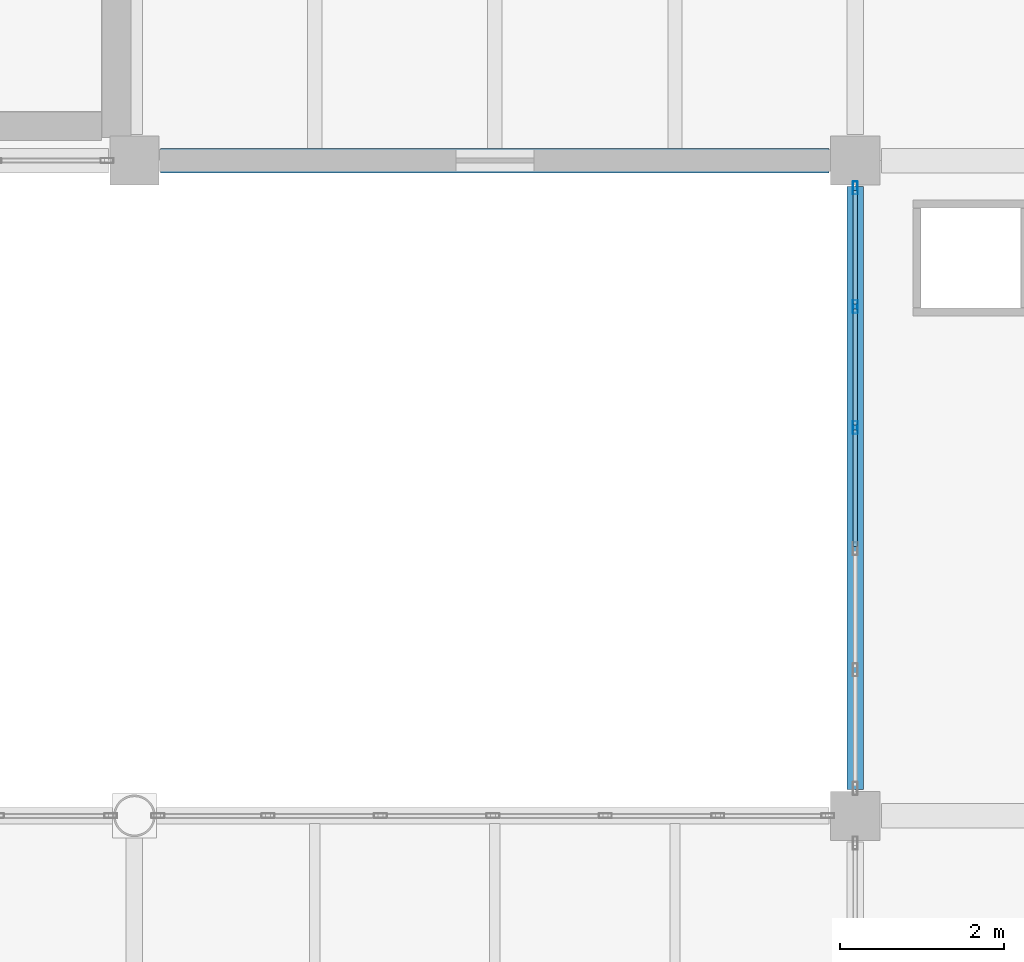
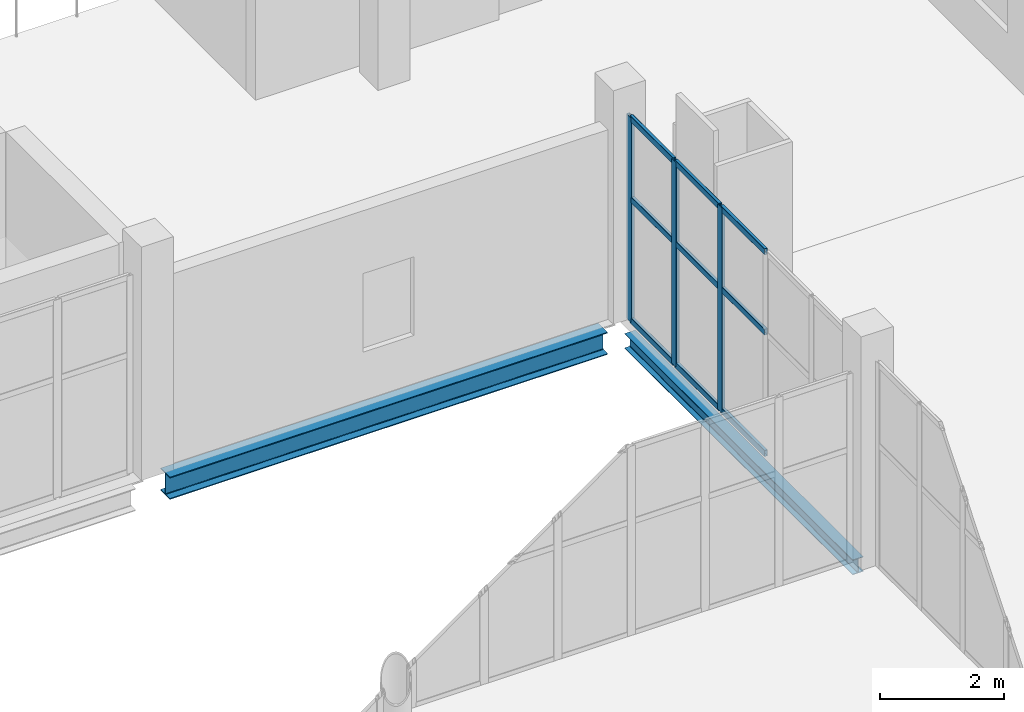
# One storey, part 92 of 136: 12 members, 2 beams, 1 element without a shape of its own.
"""IFC4 building model written with IfcOpenShell, lengths in metres."""

import ifcopenshell
import ifcopenshell.guid

model = None  # the IFC model being written
_history = None  # IfcOwnerHistory: only IFC2X3 demands one
_inside = {}  # id of a spatial element -> (the spatial element, [elements in it])
_under = {}  # id of a project, library or spatial element -> (it, [spatial elements below it])
_declared = {}  # id of a project -> (the project, [libraries it declares])
_typed = {}  # id of a type object -> (the type object, [elements of that type])
_made_of = {}  # id of a material, layer set ... -> (it, [elements and type objects made of it])


def new_model(schema):
    """Start an empty IFC model of exactly this schema.

    Asked for "IFC4X3", IfcOpenShell would pick the latest addendum, in which some entities
    have other attributes; the version numbers below select the first issue.
    IFC2X3 requires an IfcOwnerHistory on every rooted entity: one is made here for all.
    """
    global model, _history
    if schema == "IFC4X3":
        model = ifcopenshell.file(schema_version=(4, 3, 0, 0))
    else:
        model = ifcopenshell.file(schema=schema)
    _inside.clear()
    _under.clear()
    _declared.clear()
    _typed.clear()
    _made_of.clear()
    _history = None
    if model.schema == "IFC2X3":
        org = make("IfcOrganization", Name="unknown")
        user = make(
            "IfcPersonAndOrganization",
            ThePerson=make("IfcPerson", FamilyName="unknown"),
            TheOrganization=org,
        )
        app = make(
            "IfcApplication",
            ApplicationDeveloper=org,
            Version="unknown",
            ApplicationFullName="unknown",
            ApplicationIdentifier="unknown",
        )
        _history = make(
            "IfcOwnerHistory",
            OwningUser=user,
            OwningApplication=app,
            ChangeAction="ADDED",
            CreationDate=0,
        )
    return model


def make(cls, **values):
    """One entity of the class cls with the attributes given. An attribute that is None is left unset."""
    return model.create_entity(
        cls, **{name: value for name, value in values.items() if value is not None}
    )


def rooted(cls, **values):
    """An entity with a GlobalId (a new one), such as an element, a storey or a relation."""
    return make(cls, GlobalId=ifcopenshell.guid.new(), OwnerHistory=_history, **values)


def si_unit(unit_type, name, prefix=None):
    """IfcSIUnit, for example si_unit("LENGTHUNIT", "METRE", prefix="MILLI")."""
    return make("IfcSIUnit", UnitType=unit_type, Prefix=prefix, Name=name)


def assignment(units):
    """IfcUnitAssignment: the units of a project."""
    return None if units is None else make("IfcUnitAssignment", Units=units)


def point(xyz):
    """IfcCartesianPoint."""
    return None if xyz is None else make("IfcCartesianPoint", Coordinates=xyz)


def direction(xyz):
    """IfcDirection."""
    return None if xyz is None else make("IfcDirection", DirectionRatios=xyz)


def frame(location, z_axis=None, x_axis=None):
    """IfcAxis2Placement3D, a coordinate frame: its origin and axes. An axis left out is left unset."""
    return make(
        "IfcAxis2Placement3D",
        Location=point(location),
        Axis=direction(z_axis),
        RefDirection=direction(x_axis),
    )


def frame_2d(location, x_axis=None):
    """IfcAxis2Placement2D, a coordinate frame in the plane: its origin and x axis."""
    return make(
        "IfcAxis2Placement2D", Location=point(location), RefDirection=direction(x_axis)
    )


def origin():
    """The frame at (0, 0, 0) with its axes left unset."""
    return frame((0.0, 0.0, 0.0))


def origin_2d():
    """The frame at (0, 0) in the plane with its x axis left unset."""
    return frame_2d((0.0, 0.0))


def place(relative_to, where):
    """IfcLocalPlacement: puts the frame where relative to a parent placement (None: the world)."""
    return make(
        "IfcLocalPlacement", PlacementRelTo=relative_to, RelativePlacement=where
    )


def context(
    kind, dimensions, precision=None, world=None, true_north=None, identifier=None
):
    """IfcGeometricRepresentationContext, for example the 3D "Model" context."""
    return make(
        "IfcGeometricRepresentationContext",
        ContextIdentifier=identifier,
        ContextType=kind,
        CoordinateSpaceDimension=dimensions,
        Precision=precision,
        WorldCoordinateSystem=world,
        TrueNorth=true_north,
    )


def subcontext(parent, identifier, kind, view, scale=None):
    """IfcGeometricRepresentationSubContext, for example "Body" below "Model"."""
    return make(
        "IfcGeometricRepresentationSubContext",
        ContextIdentifier=identifier,
        ContextType=kind,
        ParentContext=parent,
        TargetScale=scale,
        TargetView=view,
    )


def project(units=None, contexts=None):
    """IfcProject with its units and contexts."""
    return rooted(
        "IfcProject",
        Name="project",
        RepresentationContexts=contexts,
        UnitsInContext=assignment(units),
    )


def spatial(cls, under=None, at=None, **own):
    """A site, building, storey or space (cls), placed at a placement, below another one or the project."""
    s = rooted(cls, ObjectPlacement=at, **own)
    if under is not None:
        _under.setdefault(under.id(), (under, []))[1].append(s)
    return s


def profile(cls, at=None, kind="AREA", **sizes):
    """A parametric profile (cls). Its sizes go by their IFC names, for example OverallWidth=200.0."""
    return make(cls, ProfileType=kind, Position=at, **sizes)


def hollow_rectangle(**sizes):
    """IfcRectangleHollowProfileDef."""
    return profile("IfcRectangleHollowProfileDef", **sizes)


def i_section(**sizes):
    """IfcIShapeProfileDef."""
    return profile("IfcIShapeProfileDef", **sizes)


def extrude(swept, where, along, depth):
    """IfcExtrudedAreaSolid: the profile swept, set in the frame where, extruded along a direction by depth."""
    return make(
        "IfcExtrudedAreaSolid",
        SweptArea=swept,
        Position=where,
        ExtrudedDirection=direction(along),
        Depth=depth,
    )


def shape(context_of_items, identifier, shape_type, items):
    """IfcShapeRepresentation: the items that make up one representation, for example the "Body"."""
    return make(
        "IfcShapeRepresentation",
        ContextOfItems=context_of_items,
        RepresentationIdentifier=identifier,
        RepresentationType=shape_type,
        Items=items,
    )


def material(Name=None, Category=None):
    """IfcMaterial."""
    return make("IfcMaterial", Name=Name, Category=Category)


def material_profile(
    of_material, cross_section, Name=None, Category=None, Priority=None
):
    """IfcMaterialProfile: a cross section and its material."""
    return make(
        "IfcMaterialProfile",
        Name=Name,
        Material=of_material,
        Profile=cross_section,
        Priority=Priority,
        Category=Category,
    )


def profile_set(profiles, Name=None, composite=None):
    """IfcMaterialProfileSet."""
    return make(
        "IfcMaterialProfileSet",
        Name=Name,
        MaterialProfiles=profiles,
        CompositeProfile=composite,
    )


def made_of(thing, what):
    """Note that an element or type object is made of a material, layer set ...; save() writes the relation."""
    if what is not None:
        _made_of.setdefault(what.id(), (what, []))[1].append(thing)
    return thing


def type_object(cls, material=None, **own):
    """A type object (cls), such as IfcWallType, which elements share."""
    return made_of(rooted(cls, **own), material)


def element(
    cls,
    number,
    at=None,
    inside=None,
    cuts=None,
    type_object=None,
    material=None,
    context=None,
    identifier="Body",
    shape_type=None,
    held_by="IfcProductDefinitionShape",
    body=None,
    shapes=None,
    **own,
):
    """One element of the class cls, such as IfcWall. Its Tag is "e" and its number.

    at: its placement. inside: the storey or other place that contains it. cuts: it is an
    opening in that element (IfcRelVoidsElement). A single representation is given by context,
    identifier, shape_type and body (its items); several are given by shapes. held_by: the class
    of the entity that holds the representations. save() writes the other relations.
    """
    e = rooted(cls, Tag="e%d" % number, ObjectPlacement=at, **own)
    if body is not None:
        shapes = [shape(context, identifier, shape_type, body)]
    if shapes is not None:
        e.Representation = make(held_by, Representations=shapes)
    if inside is not None:
        _inside.setdefault(inside.id(), (inside, []))[1].append(e)
    if cuts is not None:
        rooted(
            "IfcRelVoidsElement", RelatingBuildingElement=cuts, RelatedOpeningElement=e
        )
    if type_object is not None:
        _typed.setdefault(type_object.id(), (type_object, []))[1].append(e)
    return made_of(e, material)


def aggregate(whole, parts):
    """IfcRelAggregates: a whole, such as a stair, and the parts it consists of."""
    return rooted("IfcRelAggregates", RelatingObject=whole, RelatedObjects=parts)


def save(model, path):
    """Write the relations noted so far, then the file.

    IfcRelAggregates (storeys below a building ...), IfcRelContainedInSpatialStructure (elements
    in a storey), IfcRelDefinesByType, IfcRelAssociatesMaterial and IfcRelDeclares: one each for
    every whole, place, type object, material and project.
    """
    for whole, parts in _under.values():
        aggregate(whole, parts)
    for where, things in _inside.values():
        rooted(
            "IfcRelContainedInSpatialStructure",
            RelatedElements=things,
            RelatingStructure=where,
        )
    for kind, things in _typed.values():
        rooted("IfcRelDefinesByType", RelatedObjects=things, RelatingType=kind)
    for what, things in _made_of.values():
        rooted("IfcRelAssociatesMaterial", RelatedObjects=things, RelatingMaterial=what)
    for by, libraries in _declared.values():
        rooted("IfcRelDeclares", RelatingContext=by, RelatedDefinitions=libraries)
    model.write(path)


model = new_model("IFC4")

# Units and contexts
model_context = context("Model", 3, precision=1e-05, world=origin(), true_north=direction((0.0, 1.0)))
body_context = subcontext(model_context, "Body", "Model", "MODEL_VIEW")
ifc_project = project(units=[si_unit("LENGTHUNIT", "METRE"), si_unit("AREAUNIT", "SQUARE_METRE"), si_unit("VOLUMEUNIT", "CUBIC_METRE"), si_unit("PLANEANGLEUNIT", "RADIAN"), si_unit("MASSUNIT", "GRAM", prefix="KILO")], contexts=[model_context])

# Site, building, storey
site_placement = place(None, origin())
site = spatial("IfcSite", under=ifc_project, at=site_placement, CompositionType="ELEMENT")
building_placement = place(site_placement, origin())
building = spatial("IfcBuilding", under=site, at=building_placement, Name="Shengluoqiao Park Theatre", CompositionType="ELEMENT")
storey_placement = place(building_placement, frame((0.0, 0.0, 10.0)))
storey = spatial("IfcBuildingStorey", under=building, at=storey_placement, Name="L02", CompositionType="ELEMENT", Elevation=10.0)

# Curtain wall, members
ifc_material_1 = material(Name="Aluminium 6063-T6", Category="aluminium")
curtain_wall_type = type_object("IfcCurtainWallType", Name="ENV-CW-COURT", PredefinedType="NOTDEFINED", material=ifc_material_1)
curtain_wall_placement = place(storey_placement, origin())
curtain_wall = element("IfcCurtainWall", 1, at=curtain_wall_placement, inside=storey, type_object=curtain_wall_type, Name="L02 Curtain Wall CWX-L02-0199", PredefinedType="NOTDEFINED")
ifc_material_profile_1 = material_profile(ifc_material_1, hollow_rectangle(XDim=0.06005859375, YDim=0.159912109375, WallThickness=0.00390625, InnerFilletRadius=0.00390625, OuterFilletRadius=0.008056640625, at=origin_2d()), Name="ALU MULLION 160x60x4")
ifc_profile_set_1 = profile_set([ifc_material_profile_1], Name="Aluminium 6063-T6")
member_type_1 = type_object("IfcMemberType", Name="ENV-MUL-160", PredefinedType="MULLION", material=ifc_profile_set_1)
member_1_placement = place(storey_placement, frame((157.199951171875, 80.7392578125, 0.0), z_axis=(0.0, 0.0, 1.0), x_axis=(-1.0, 0.0, 0.0)))
member_1 = element("IfcMember", 2, at=member_1_placement, type_object=member_type_1, Name="CW-05 mullion 4", PredefinedType="MULLION", context=body_context, shape_type="SweptSolid", body=[
    extrude(hollow_rectangle(XDim=0.06005859375, YDim=0.159912109375, WallThickness=0.00390625, InnerFilletRadius=0.00390625, OuterFilletRadius=0.008056640625, at=origin_2d()), origin(), (0.0, 0.0, 1.0), 4.033935546875),
])
member_2_placement = place(storey_placement, frame((157.199951171875, 82.217529296875, 0.0), z_axis=(0.0, 0.0, 1.0), x_axis=(-1.0, 0.0, 0.0)))
member_2 = element("IfcMember", 3, at=member_2_placement, type_object=member_type_1, Name="CW-05 mullion 5", PredefinedType="MULLION", context=body_context, shape_type="SweptSolid", body=[
    extrude(hollow_rectangle(XDim=0.06005859375, YDim=0.159912109375, WallThickness=0.00390625, InnerFilletRadius=0.00390625, OuterFilletRadius=0.008056640625, at=origin_2d()), origin(), (0.0, 0.0, 1.0), 4.033935546875),
])
member_3_placement = place(storey_placement, frame((157.199951171875, 83.666015625, 0.0), z_axis=(0.0, 0.0, 1.0), x_axis=(-1.0, 0.0, 0.0)))
member_3 = element("IfcMember", 4, at=member_3_placement, type_object=member_type_1, Name="CW-05 mullion 6", PredefinedType="MULLION", context=body_context, shape_type="SweptSolid", body=[
    extrude(hollow_rectangle(XDim=0.06005859375, YDim=0.159912109375, WallThickness=0.00390625, InnerFilletRadius=0.00390625, OuterFilletRadius=0.008056640625, at=origin_2d()), origin(), (0.0, 0.0, 1.0), 4.033935546875),
])
ifc_material_profile_2 = material_profile(ifc_material_1, hollow_rectangle(XDim=0.06005859375, YDim=0.1201171875, WallThickness=0.00390625, InnerFilletRadius=0.00390625, OuterFilletRadius=0.008056640625, at=origin_2d()), Name="ALU TRANSOM 120x60x4")
ifc_profile_set_2 = profile_set([ifc_material_profile_2], Name="Aluminium 6063-T6")
member_type_2 = type_object("IfcMemberType", Name="ENV-TRN-120", PredefinedType="USERDEFINED", material=ifc_profile_set_2)
member_4_placement = place(storey_placement, frame((157.199951171875, 79.290771484375, 0.030029296875), z_axis=(0.0, 1.0, 0.0), x_axis=(-1.0, 0.0, 0.0)))
member_4 = element("IfcMember", 5, at=member_4_placement, type_object=member_type_2, Name="CW-05 transom 3.1", ObjectType="TRANSOM", PredefinedType="USERDEFINED", context=body_context, shape_type="SweptSolid", body=[
    extrude(hollow_rectangle(XDim=0.06005859375, YDim=0.1201171875, WallThickness=0.00390625, InnerFilletRadius=0.00390625, OuterFilletRadius=0.008056640625, at=origin_2d()), origin(), (0.0, 0.0, 1.0), 1.41845703125),
])
member_5_placement = place(storey_placement, frame((157.199951171875, 79.290771484375, 2.419921875), z_axis=(0.0, 1.0, 0.0), x_axis=(-1.0, 0.0, 0.0)))
member_5 = element("IfcMember", 6, at=member_5_placement, type_object=member_type_2, Name="CW-05 transom 3.2", ObjectType="TRANSOM", PredefinedType="USERDEFINED", context=body_context, shape_type="SweptSolid", body=[
    extrude(hollow_rectangle(XDim=0.06005859375, YDim=0.1201171875, WallThickness=0.00390625, InnerFilletRadius=0.00390625, OuterFilletRadius=0.008056640625, at=origin_2d()), origin(), (0.0, 0.0, 1.0), 1.41845703125),
])
member_6_placement = place(storey_placement, frame((157.199951171875, 79.290771484375, 4.00390625), z_axis=(0.0, 1.0, 0.0), x_axis=(-1.0, 0.0, 0.0)))
member_6 = element("IfcMember", 7, at=member_6_placement, type_object=member_type_2, Name="CW-05 transom 3.3", ObjectType="TRANSOM", PredefinedType="USERDEFINED", context=body_context, shape_type="SweptSolid", body=[
    extrude(hollow_rectangle(XDim=0.06005859375, YDim=0.1201171875, WallThickness=0.00390625, InnerFilletRadius=0.00390625, OuterFilletRadius=0.008056640625, at=origin_2d()), origin(), (0.0, 0.0, 1.0), 1.41845703125),
])
member_7_placement = place(storey_placement, frame((157.199951171875, 80.769287109375, 0.030029296875), z_axis=(0.0, 1.0, 0.0), x_axis=(-1.0, 0.0, 0.0)))
member_7 = element("IfcMember", 8, at=member_7_placement, type_object=member_type_2, Name="CW-05 transom 4.1", ObjectType="TRANSOM", PredefinedType="USERDEFINED", context=body_context, shape_type="SweptSolid", body=[
    extrude(hollow_rectangle(XDim=0.06005859375, YDim=0.1201171875, WallThickness=0.00390625, InnerFilletRadius=0.00390625, OuterFilletRadius=0.008056640625, at=origin_2d()), origin(), (0.0, 0.0, 1.0), 1.418212890625),
])
member_8_placement = place(storey_placement, frame((157.199951171875, 80.769287109375, 2.419921875), z_axis=(0.0, 1.0, 0.0), x_axis=(-1.0, 0.0, 0.0)))
member_8 = element("IfcMember", 9, at=member_8_placement, type_object=member_type_2, Name="CW-05 transom 4.2", ObjectType="TRANSOM", PredefinedType="USERDEFINED", context=body_context, shape_type="SweptSolid", body=[
    extrude(hollow_rectangle(XDim=0.06005859375, YDim=0.1201171875, WallThickness=0.00390625, InnerFilletRadius=0.00390625, OuterFilletRadius=0.008056640625, at=origin_2d()), origin(), (0.0, 0.0, 1.0), 1.418212890625),
])
member_9_placement = place(storey_placement, frame((157.199951171875, 80.769287109375, 4.00390625), z_axis=(0.0, 1.0, 0.0), x_axis=(-1.0, 0.0, 0.0)))
member_9 = element("IfcMember", 10, at=member_9_placement, type_object=member_type_2, Name="CW-05 transom 4.3", ObjectType="TRANSOM", PredefinedType="USERDEFINED", context=body_context, shape_type="SweptSolid", body=[
    extrude(hollow_rectangle(XDim=0.06005859375, YDim=0.1201171875, WallThickness=0.00390625, InnerFilletRadius=0.00390625, OuterFilletRadius=0.008056640625, at=origin_2d()), origin(), (0.0, 0.0, 1.0), 1.418212890625),
])
member_10_placement = place(storey_placement, frame((157.199951171875, 82.24755859375, 0.030029296875), z_axis=(0.0, 1.0, 0.0), x_axis=(-1.0, 0.0, 0.0)))
member_10 = element("IfcMember", 11, at=member_10_placement, type_object=member_type_2, Name="CW-05 transom 5.1", ObjectType="TRANSOM", PredefinedType="USERDEFINED", context=body_context, shape_type="SweptSolid", body=[
    extrude(hollow_rectangle(XDim=0.06005859375, YDim=0.1201171875, WallThickness=0.00390625, InnerFilletRadius=0.00390625, OuterFilletRadius=0.008056640625, at=origin_2d()), origin(), (0.0, 0.0, 1.0), 1.388427734375),
])
member_11_placement = place(storey_placement, frame((157.199951171875, 82.24755859375, 2.419921875), z_axis=(0.0, 1.0, 0.0), x_axis=(-1.0, 0.0, 0.0)))
member_11 = element("IfcMember", 12, at=member_11_placement, type_object=member_type_2, Name="CW-05 transom 5.2", ObjectType="TRANSOM", PredefinedType="USERDEFINED", context=body_context, shape_type="SweptSolid", body=[
    extrude(hollow_rectangle(XDim=0.06005859375, YDim=0.1201171875, WallThickness=0.00390625, InnerFilletRadius=0.00390625, OuterFilletRadius=0.008056640625, at=origin_2d()), origin(), (0.0, 0.0, 1.0), 1.388427734375),
])
member_12_placement = place(storey_placement, frame((157.199951171875, 82.24755859375, 4.00390625), z_axis=(0.0, 1.0, 0.0), x_axis=(-1.0, 0.0, 0.0)))
member_12 = element("IfcMember", 13, at=member_12_placement, type_object=member_type_2, Name="CW-05 transom 5.3", ObjectType="TRANSOM", PredefinedType="USERDEFINED", context=body_context, shape_type="SweptSolid", body=[
    extrude(hollow_rectangle(XDim=0.06005859375, YDim=0.1201171875, WallThickness=0.00390625, InnerFilletRadius=0.00390625, OuterFilletRadius=0.008056640625, at=origin_2d()), origin(), (0.0, 0.0, 1.0), 1.388427734375),
])
aggregate(curtain_wall, [member_1, member_2, member_3, member_4, member_5, member_6, member_7, member_8, member_9, member_10, member_11, member_12])

# Beams
ifc_material_2 = material(Name="Steel Q355", Category="steel")
ifc_material_profile_3 = material_profile(ifc_material_2, i_section(OverallWidth=0.199951171875, OverallDepth=0.2939453125, WebThickness=0.008056640625, FlangeThickness=0.011962890625, FilletRadius=0.01611328125, at=origin_2d()), Name="HM 294x200x8x12")
ifc_profile_set_3 = profile_set([ifc_material_profile_3], Name="Steel Q355")
beam_type_1 = type_object("IfcBeamType", Name="STR-BM-G-HM294", PredefinedType="BEAM", material=ifc_profile_set_3)
beam_1_placement = place(storey_placement, frame((157.199951171875, 76.319091796875, -0.386962890625), z_axis=(0.0, 1.0, 0.0), x_axis=(-1.0, 0.0, 0.0)))
element("IfcBeam", 14, at=beam_1_placement, inside=storey, type_object=beam_type_1, Name="L02 Transverse Girder 01158", PredefinedType="BEAM", context=body_context, shape_type="SweptSolid", body=[
    extrude(i_section(OverallWidth=0.199951171875, OverallDepth=0.2939453125, WebThickness=0.008056640625, FlangeThickness=0.011962890625, FilletRadius=0.01611328125, at=origin_2d()), origin(), (0.0, 0.0, 1.0), 7.36181640625),
])
ifc_material_profile_4 = material_profile(ifc_material_2, i_section(OverallWidth=0.300048828125, OverallDepth=0.43994140625, WebThickness=0.010986328125, FlangeThickness=0.01806640625, FilletRadius=0.02001953125, at=origin_2d()), Name="HM 440x300x11x18")
ifc_profile_set_4 = profile_set([ifc_material_profile_4], Name="Steel Q355")
beam_type_2 = type_object("IfcBeamType", Name="STR-BM-G-HM440", PredefinedType="BEAM", material=ifc_profile_set_4)
beam_2_placement = place(storey_placement, frame((148.718994140625, 84.0, -0.4599609375), z_axis=(1.0, 0.0, 0.0), x_axis=(0.0, 1.0, 0.0)))
element("IfcBeam", 15, at=beam_2_placement, inside=storey, type_object=beam_type_2, Name="L02 Primary Girder 01111", PredefinedType="BEAM", context=body_context, shape_type="SweptSolid", body=[
    extrude(i_section(OverallWidth=0.300048828125, OverallDepth=0.43994140625, WebThickness=0.010986328125, FlangeThickness=0.01806640625, FilletRadius=0.02001953125, at=origin_2d()), origin(), (0.0, 0.0, 1.0), 8.162109375),
])

save(model, "model.ifc")
